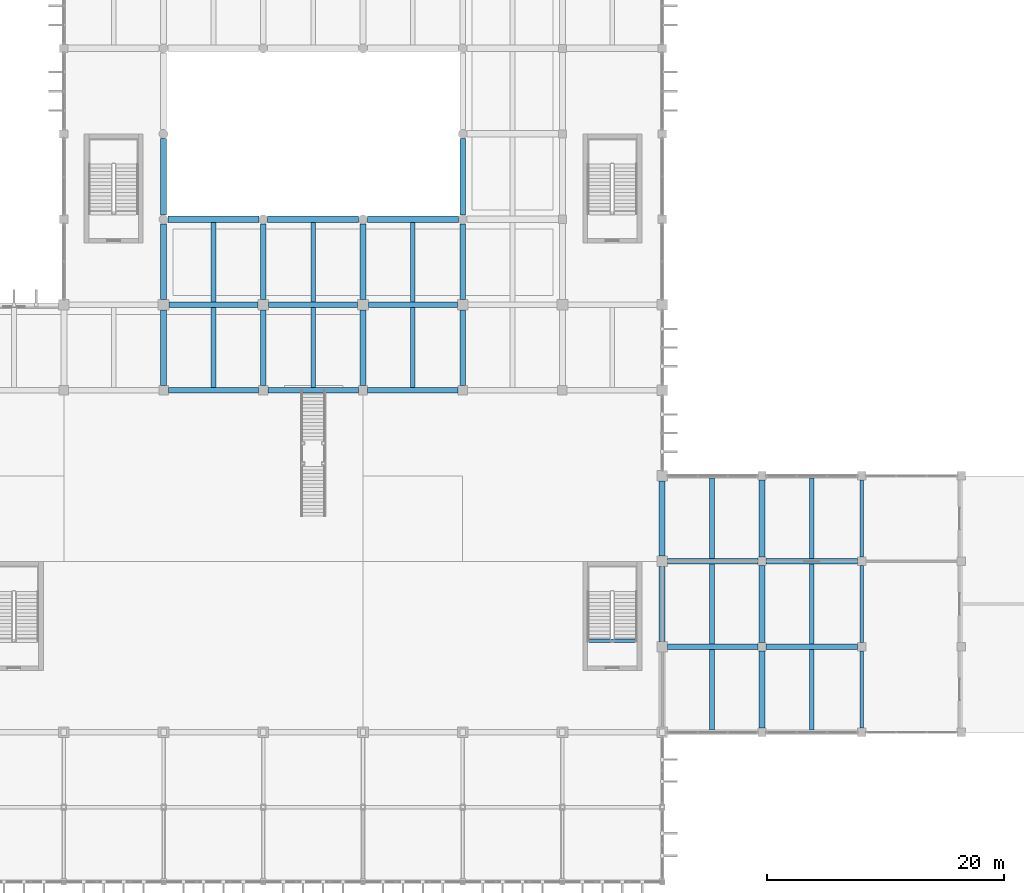
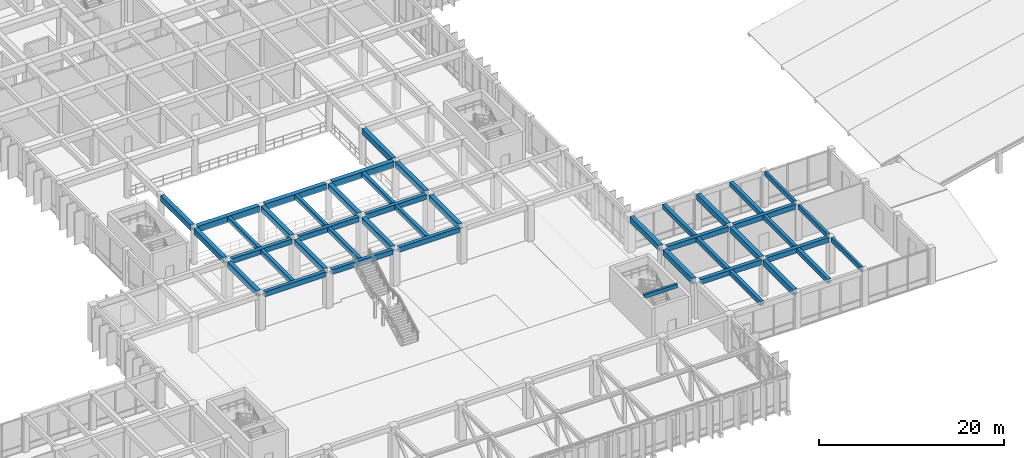
# One storey, part 14 of 51: 44 beams.
"""IFC4 building model written with IfcOpenShell, lengths in metres."""

import ifcopenshell
import ifcopenshell.guid

model = None  # the IFC model being written
_history = None  # IfcOwnerHistory: only IFC2X3 demands one
_inside = {}  # id of a spatial element -> (the spatial element, [elements in it])
_under = {}  # id of a project, library or spatial element -> (it, [spatial elements below it])
_declared = {}  # id of a project -> (the project, [libraries it declares])
_typed = {}  # id of a type object -> (the type object, [elements of that type])
_made_of = {}  # id of a material, layer set ... -> (it, [elements and type objects made of it])


def new_model(schema):
    """Start an empty IFC model of exactly this schema.

    Asked for "IFC4X3", IfcOpenShell would pick the latest addendum, in which some entities
    have other attributes; the version numbers below select the first issue.
    IFC2X3 requires an IfcOwnerHistory on every rooted entity: one is made here for all.
    """
    global model, _history
    if schema == "IFC4X3":
        model = ifcopenshell.file(schema_version=(4, 3, 0, 0))
    else:
        model = ifcopenshell.file(schema=schema)
    _inside.clear()
    _under.clear()
    _declared.clear()
    _typed.clear()
    _made_of.clear()
    _history = None
    if model.schema == "IFC2X3":
        org = make("IfcOrganization", Name="unknown")
        user = make(
            "IfcPersonAndOrganization",
            ThePerson=make("IfcPerson", FamilyName="unknown"),
            TheOrganization=org,
        )
        app = make(
            "IfcApplication",
            ApplicationDeveloper=org,
            Version="unknown",
            ApplicationFullName="unknown",
            ApplicationIdentifier="unknown",
        )
        _history = make(
            "IfcOwnerHistory",
            OwningUser=user,
            OwningApplication=app,
            ChangeAction="ADDED",
            CreationDate=0,
        )
    return model


def make(cls, **values):
    """One entity of the class cls with the attributes given. An attribute that is None is left unset."""
    return model.create_entity(
        cls, **{name: value for name, value in values.items() if value is not None}
    )


def rooted(cls, **values):
    """An entity with a GlobalId (a new one), such as an element, a storey or a relation."""
    return make(cls, GlobalId=ifcopenshell.guid.new(), OwnerHistory=_history, **values)


def si_unit(unit_type, name, prefix=None):
    """IfcSIUnit, for example si_unit("LENGTHUNIT", "METRE", prefix="MILLI")."""
    return make("IfcSIUnit", UnitType=unit_type, Prefix=prefix, Name=name)


def assignment(units):
    """IfcUnitAssignment: the units of a project."""
    return None if units is None else make("IfcUnitAssignment", Units=units)


def point(xyz):
    """IfcCartesianPoint."""
    return None if xyz is None else make("IfcCartesianPoint", Coordinates=xyz)


def direction(xyz):
    """IfcDirection."""
    return None if xyz is None else make("IfcDirection", DirectionRatios=xyz)


def frame(location, z_axis=None, x_axis=None):
    """IfcAxis2Placement3D, a coordinate frame: its origin and axes. An axis left out is left unset."""
    return make(
        "IfcAxis2Placement3D",
        Location=point(location),
        Axis=direction(z_axis),
        RefDirection=direction(x_axis),
    )


def frame_2d(location, x_axis=None):
    """IfcAxis2Placement2D, a coordinate frame in the plane: its origin and x axis."""
    return make(
        "IfcAxis2Placement2D", Location=point(location), RefDirection=direction(x_axis)
    )


def origin():
    """The frame at (0, 0, 0) with its axes left unset."""
    return frame((0.0, 0.0, 0.0))


def origin_2d():
    """The frame at (0, 0) in the plane with its x axis left unset."""
    return frame_2d((0.0, 0.0))


def place(relative_to, where):
    """IfcLocalPlacement: puts the frame where relative to a parent placement (None: the world)."""
    return make(
        "IfcLocalPlacement", PlacementRelTo=relative_to, RelativePlacement=where
    )


def context(
    kind, dimensions, precision=None, world=None, true_north=None, identifier=None
):
    """IfcGeometricRepresentationContext, for example the 3D "Model" context."""
    return make(
        "IfcGeometricRepresentationContext",
        ContextIdentifier=identifier,
        ContextType=kind,
        CoordinateSpaceDimension=dimensions,
        Precision=precision,
        WorldCoordinateSystem=world,
        TrueNorth=true_north,
    )


def subcontext(parent, identifier, kind, view, scale=None):
    """IfcGeometricRepresentationSubContext, for example "Body" below "Model"."""
    return make(
        "IfcGeometricRepresentationSubContext",
        ContextIdentifier=identifier,
        ContextType=kind,
        ParentContext=parent,
        TargetScale=scale,
        TargetView=view,
    )


def project(units=None, contexts=None):
    """IfcProject with its units and contexts."""
    return rooted(
        "IfcProject",
        Name="project",
        RepresentationContexts=contexts,
        UnitsInContext=assignment(units),
    )


def spatial(cls, under=None, at=None, **own):
    """A site, building, storey or space (cls), placed at a placement, below another one or the project."""
    s = rooted(cls, ObjectPlacement=at, **own)
    if under is not None:
        _under.setdefault(under.id(), (under, []))[1].append(s)
    return s


def profile(cls, at=None, kind="AREA", **sizes):
    """A parametric profile (cls). Its sizes go by their IFC names, for example OverallWidth=200.0."""
    return make(cls, ProfileType=kind, Position=at, **sizes)


def rectangle(**sizes):
    """IfcRectangleProfileDef."""
    return profile("IfcRectangleProfileDef", **sizes)


def extrude(swept, where, along, depth):
    """IfcExtrudedAreaSolid: the profile swept, set in the frame where, extruded along a direction by depth."""
    return make(
        "IfcExtrudedAreaSolid",
        SweptArea=swept,
        Position=where,
        ExtrudedDirection=direction(along),
        Depth=depth,
    )


def shape(context_of_items, identifier, shape_type, items):
    """IfcShapeRepresentation: the items that make up one representation, for example the "Body"."""
    return make(
        "IfcShapeRepresentation",
        ContextOfItems=context_of_items,
        RepresentationIdentifier=identifier,
        RepresentationType=shape_type,
        Items=items,
    )


def material(Name=None, Category=None):
    """IfcMaterial."""
    return make("IfcMaterial", Name=Name, Category=Category)


def material_profile(
    of_material, cross_section, Name=None, Category=None, Priority=None
):
    """IfcMaterialProfile: a cross section and its material."""
    return make(
        "IfcMaterialProfile",
        Name=Name,
        Material=of_material,
        Profile=cross_section,
        Priority=Priority,
        Category=Category,
    )


def profile_set(profiles, Name=None, composite=None):
    """IfcMaterialProfileSet."""
    return make(
        "IfcMaterialProfileSet",
        Name=Name,
        MaterialProfiles=profiles,
        CompositeProfile=composite,
    )


def made_of(thing, what):
    """Note that an element or type object is made of a material, layer set ...; save() writes the relation."""
    if what is not None:
        _made_of.setdefault(what.id(), (what, []))[1].append(thing)
    return thing


def type_object(cls, material=None, **own):
    """A type object (cls), such as IfcWallType, which elements share."""
    return made_of(rooted(cls, **own), material)


def element(
    cls,
    number,
    at=None,
    inside=None,
    cuts=None,
    type_object=None,
    material=None,
    context=None,
    identifier="Body",
    shape_type=None,
    held_by="IfcProductDefinitionShape",
    body=None,
    shapes=None,
    **own,
):
    """One element of the class cls, such as IfcWall. Its Tag is "e" and its number.

    at: its placement. inside: the storey or other place that contains it. cuts: it is an
    opening in that element (IfcRelVoidsElement). A single representation is given by context,
    identifier, shape_type and body (its items); several are given by shapes. held_by: the class
    of the entity that holds the representations. save() writes the other relations.
    """
    e = rooted(cls, Tag="e%d" % number, ObjectPlacement=at, **own)
    if body is not None:
        shapes = [shape(context, identifier, shape_type, body)]
    if shapes is not None:
        e.Representation = make(held_by, Representations=shapes)
    if inside is not None:
        _inside.setdefault(inside.id(), (inside, []))[1].append(e)
    if cuts is not None:
        rooted(
            "IfcRelVoidsElement", RelatingBuildingElement=cuts, RelatedOpeningElement=e
        )
    if type_object is not None:
        _typed.setdefault(type_object.id(), (type_object, []))[1].append(e)
    return made_of(e, material)


def aggregate(whole, parts):
    """IfcRelAggregates: a whole, such as a stair, and the parts it consists of."""
    return rooted("IfcRelAggregates", RelatingObject=whole, RelatedObjects=parts)


def save(model, path):
    """Write the relations noted so far, then the file.

    IfcRelAggregates (storeys below a building ...), IfcRelContainedInSpatialStructure (elements
    in a storey), IfcRelDefinesByType, IfcRelAssociatesMaterial and IfcRelDeclares: one each for
    every whole, place, type object, material and project.
    """
    for whole, parts in _under.values():
        aggregate(whole, parts)
    for where, things in _inside.values():
        rooted(
            "IfcRelContainedInSpatialStructure",
            RelatedElements=things,
            RelatingStructure=where,
        )
    for kind, things in _typed.values():
        rooted("IfcRelDefinesByType", RelatedObjects=things, RelatingType=kind)
    for what, things in _made_of.values():
        rooted("IfcRelAssociatesMaterial", RelatedObjects=things, RelatingMaterial=what)
    for by, libraries in _declared.values():
        rooted("IfcRelDeclares", RelatingContext=by, RelatedDefinitions=libraries)
    model.write(path)


model = new_model("IFC4")

# Units and contexts
model_context = context("Model", 3, precision=1e-05, world=origin(), true_north=direction((0.0, 1.0)))
body_context = subcontext(model_context, "Body", "Model", "MODEL_VIEW")
ifc_project = project(units=[si_unit("LENGTHUNIT", "METRE"), si_unit("AREAUNIT", "SQUARE_METRE"), si_unit("VOLUMEUNIT", "CUBIC_METRE"), si_unit("PLANEANGLEUNIT", "RADIAN"), si_unit("MASSUNIT", "GRAM", prefix="KILO")], contexts=[model_context])

# Site, building, storey
site_placement = place(None, origin())
site = spatial("IfcSite", under=ifc_project, at=site_placement, CompositionType="ELEMENT")
building_placement = place(site_placement, origin())
building = spatial("IfcBuilding", under=site, at=building_placement, Name="Kenerak Square Central Library", CompositionType="ELEMENT")
storey_placement = place(building_placement, frame((0.0, 0.0, 9.60009765625)))
storey = spatial("IfcBuildingStorey", under=building, at=storey_placement, Name="L02", CompositionType="ELEMENT", Elevation=9.60009765625)

# Beams
ifc_material = material(Name="Concrete C40/50", Category="concrete")
ifc_material_profile_1 = material_profile(ifc_material, rectangle(XDim=0.300048828125, YDim=0.60009765625, at=origin_2d()), Name="RC 300x600")
ifc_profile_set_1 = profile_set([ifc_material_profile_1], Name="Concrete C40/50")
beam_type_1 = type_object("IfcBeamType", Name="Courtyard Spandrel Beam SP-02 RC 300x600 C40/50", PredefinedType="SPANDREL", material=ifc_profile_set_1)
for number, where, z_axis, x_axis, name in (
    (1, (134.0, 17.14990234375, 4.5), (0.0, 1.0, 0.0), (-1.0, 0.0, 0.0), "Beam SP-02 L02 1362"),
    (2, (134.0, 24.35009765625, 4.5), (0.0, 1.0, 0.0), (-1.0, 0.0, 0.0), "Beam SP-02 L02 1363"),
    (3, (134.0, 31.550048828125, 4.5), (0.0, 1.0, 0.0), (-1.0, 0.0, 0.0), "Beam SP-02 L02 1364"),
):
    element("IfcBeam", number, at=place(storey_placement, frame(where, z_axis=z_axis, x_axis=x_axis)), inside=storey, type_object=beam_type_1, Name=name, PredefinedType="SPANDREL", context=body_context, shape_type="SweptSolid", body=[
        extrude(rectangle(XDim=0.300048828125, YDim=0.60009765625, at=origin_2d()), origin(), (0.0, 0.0, 1.0), 6.5),
    ])
ifc_material_profile_2 = material_profile(ifc_material, rectangle(XDim=0.300048828125, YDim=0.5, at=origin_2d()), Name="RC 300x500")
ifc_profile_set_2 = profile_set([ifc_material_profile_2], Name="Concrete C40/50")
beam_type_2 = type_object("IfcBeamType", Name="Landing Support Beam B-08 RC 300x500 C40/50", PredefinedType="BEAM", material=ifc_profile_set_2)
beam_1_placement = place(storey_placement, frame((110.919921875, 24.510009765625, 4.5498046875), z_axis=(1.0, 0.0, 0.0), x_axis=(0.0, 1.0, 0.0)))
element("IfcBeam", 4, at=beam_1_placement, inside=storey, type_object=beam_type_2, Name="Stair Threshold Beam B-08 ST-05 L03", PredefinedType="BEAM", context=body_context, shape_type="SweptSolid", body=[
    extrude(rectangle(XDim=0.300048828125, YDim=0.5, at=origin_2d()), origin(), (0.0, 0.0, 1.0), 4.16015625),
])
ifc_material_profile_3 = material_profile(ifc_material, rectangle(XDim=0.449951171875, YDim=0.64990234375, at=origin_2d()), Name="RC 450x650")
ifc_profile_set_3 = profile_set([ifc_material_profile_3], Name="Concrete C40/50")
beam_type_3 = type_object("IfcBeamType", Name="Mezzanine Frame Beam B-06 RC 450x650 C40/50", PredefinedType="BEAM", material=ifc_profile_set_3)
beam_2_placement = place(storey_placement, frame((117.64990234375, 24.0, 4.474853515625), z_axis=(1.0, 0.0, 0.0), x_axis=(0.0, 1.0, 0.0)))
element("IfcBeam", 5, at=beam_2_placement, inside=storey, type_object=beam_type_3, Name="Beam B-06 L02 1201", PredefinedType="BEAM", context=body_context, shape_type="SweptSolid", body=[
    extrude(rectangle(XDim=0.449951171875, YDim=0.64990234375, at=origin_2d()), origin(), (0.0, 0.0, 1.0), 7.60009765625),
])
beam_3_placement = place(storey_placement, frame((125.949951171875, 24.0, 4.474853515625), z_axis=(1.0, 0.0, 0.0), x_axis=(0.0, 1.0, 0.0)))
element("IfcBeam", 6, at=beam_3_placement, inside=storey, type_object=beam_type_3, Name="Beam B-06 L02 1202", PredefinedType="BEAM", context=body_context, shape_type="SweptSolid", body=[
    extrude(rectangle(XDim=0.449951171875, YDim=0.64990234375, at=origin_2d()), origin(), (0.0, 0.0, 1.0), 7.699951171875),
])
beam_4_placement = place(storey_placement, frame((117.64990234375, 31.199951171875, 4.474853515625), z_axis=(1.0, 0.0, 0.0), x_axis=(0.0, 1.0, 0.0)))
element("IfcBeam", 7, at=beam_4_placement, inside=storey, type_object=beam_type_3, Name="Beam B-06 L02 1205", PredefinedType="BEAM", context=body_context, shape_type="SweptSolid", body=[
    extrude(rectangle(XDim=0.449951171875, YDim=0.64990234375, at=origin_2d()), origin(), (0.0, 0.0, 1.0), 7.60009765625),
])
beam_5_placement = place(storey_placement, frame((125.949951171875, 31.199951171875, 4.474853515625), z_axis=(1.0, 0.0, 0.0), x_axis=(0.0, 1.0, 0.0)))
element("IfcBeam", 8, at=beam_5_placement, inside=storey, type_object=beam_type_3, Name="Beam B-06 L02 1206", PredefinedType="BEAM", context=body_context, shape_type="SweptSolid", body=[
    extrude(rectangle(XDim=0.449951171875, YDim=0.64990234375, at=origin_2d()), origin(), (0.0, 0.0, 1.0), 7.699951171875),
])
beam_6_placement = place(storey_placement, frame((75.60009765625, 45.60009765625, 4.474853515625), z_axis=(1.0, 0.0, 0.0), x_axis=(0.0, 1.0, 0.0)))
element("IfcBeam", 9, at=beam_6_placement, inside=storey, type_object=beam_type_3, Name="Beam B-06 L02 1213", PredefinedType="BEAM", context=body_context, shape_type="SweptSolid", body=[
    extrude(rectangle(XDim=0.449951171875, YDim=0.64990234375, at=origin_2d()), origin(), (0.0, 0.0, 1.0), 7.599853515625),
])
for number, where, z_axis, x_axis, name in (
    (10, (84.0, 45.60009765625, 4.474853515625), (1.0, 0.0, 0.0), (0.0, 1.0, 0.0), "Beam B-06 L02 1214"),
    (11, (92.39990234375, 45.60009765625, 4.474853515625), (1.0, 0.0, 0.0), (0.0, 1.0, 0.0), "Beam B-06 L02 1215"),
):
    element("IfcBeam", number, at=place(storey_placement, frame(where, z_axis=z_axis, x_axis=x_axis)), inside=storey, type_object=beam_type_3, Name=name, PredefinedType="BEAM", context=body_context, shape_type="SweptSolid", body=[
        extrude(rectangle(XDim=0.449951171875, YDim=0.64990234375, at=origin_2d()), origin(), (0.0, 0.0, 1.0), 7.60009765625),
    ])
for number, where, z_axis, x_axis, name in (
    (12, (75.64990234375, 52.800048828125, 4.474853515625), (1.0, 0.0, 0.0), (0.0, 1.0, 0.0), "Beam B-06 L02 1220"),
    (13, (84.050048828125, 52.800048828125, 4.474853515625), (1.0, 0.0, 0.0), (0.0, 1.0, 0.0), "Beam B-06 L02 1221"),
    (14, (92.449951171875, 52.800048828125, 4.474853515625), (1.0, 0.0, 0.0), (0.0, 1.0, 0.0), "Beam B-06 L02 1222"),
):
    element("IfcBeam", number, at=place(storey_placement, frame(where, z_axis=z_axis, x_axis=x_axis)), inside=storey, type_object=beam_type_3, Name=name, PredefinedType="BEAM", context=body_context, shape_type="SweptSolid", body=[
        extrude(rectangle(XDim=0.449951171875, YDim=0.64990234375, at=origin_2d()), origin(), (0.0, 0.0, 1.0), 7.5),
    ])
ifc_material_profile_4 = material_profile(ifc_material, rectangle(XDim=0.550048828125, YDim=0.800048828125, at=origin_2d()), Name="RC 550x800")
ifc_profile_set_4 = profile_set([ifc_material_profile_4], Name="Concrete C40/50")
beam_type_4 = type_object("IfcBeamType", Name="Primary Reading Beam B-04 RC 550x800 C40/50", PredefinedType="BEAM", material=ifc_profile_set_4)
beam_7_placement = place(storey_placement, frame((75.574951171875, 60.0, 4.39990234375), z_axis=(1.0, 0.0, 0.0), x_axis=(0.0, 1.0, 0.0)))
element("IfcBeam", 15, at=beam_7_placement, inside=storey, type_object=beam_type_4, Name="Beam B-04 L02 1225", PredefinedType="BEAM", context=body_context, shape_type="SweptSolid", body=[
    extrude(rectangle(XDim=0.550048828125, YDim=0.800048828125, at=origin_2d()), origin(), (0.0, 0.0, 1.0), 7.650146484375),
])
for number, where, z_axis, x_axis, name in (
    (16, (83.97509765625, 60.0, 4.39990234375), (1.0, 0.0, 0.0), (0.0, 1.0, 0.0), "Beam B-04 L02 1226"),
    (17, (92.375, 60.0, 4.39990234375), (1.0, 0.0, 0.0), (0.0, 1.0, 0.0), "Beam B-04 L02 1227"),
):
    element("IfcBeam", number, at=place(storey_placement, frame(where, z_axis=z_axis, x_axis=x_axis)), inside=storey, type_object=beam_type_4, Name=name, PredefinedType="BEAM", context=body_context, shape_type="SweptSolid", body=[
        extrude(rectangle(XDim=0.550048828125, YDim=0.800048828125, at=origin_2d()), origin(), (0.0, 0.0, 1.0), 7.64990234375),
    ])
ifc_material_profile_5 = material_profile(ifc_material, rectangle(XDim=0.39990234375, YDim=0.60009765625, at=origin_2d()), Name="RC 400x600")
ifc_profile_set_5 = profile_set([ifc_material_profile_5], Name="Concrete C40/50")
beam_type_5 = type_object("IfcBeamType", Name="Secondary Floor Joist J-01 RC 400x600 C40/50", PredefinedType="JOIST", material=ifc_profile_set_5)
beam_8_placement = place(storey_placement, frame((79.39990234375, 45.824951171875, 4.5), z_axis=(0.0, 1.0, 0.0), x_axis=(-1.0, 0.0, 0.0)))
element("IfcBeam", 18, at=beam_8_placement, inside=storey, type_object=beam_type_5, Name="Joist J-01 L02 1379", PredefinedType="JOIST", context=body_context, shape_type="SweptSolid", body=[
    extrude(rectangle(XDim=0.39990234375, YDim=0.60009765625, at=origin_2d()), origin(), (0.0, 0.0, 1.0), 6.75),
])
beam_9_placement = place(storey_placement, frame((79.39990234375, 53.02490234375, 4.5), z_axis=(0.0, 1.0, 0.0), x_axis=(-1.0, 0.0, 0.0)))
element("IfcBeam", 19, at=beam_9_placement, inside=storey, type_object=beam_type_5, Name="Joist J-01 L02 1380", PredefinedType="JOIST", context=body_context, shape_type="SweptSolid", body=[
    extrude(rectangle(XDim=0.39990234375, YDim=0.60009765625, at=origin_2d()), origin(), (0.0, 0.0, 1.0), 6.7001953125),
])
beam_10_placement = place(storey_placement, frame((87.800048828125, 45.824951171875, 4.5), z_axis=(0.0, 1.0, 0.0), x_axis=(-1.0, 0.0, 0.0)))
element("IfcBeam", 20, at=beam_10_placement, inside=storey, type_object=beam_type_5, Name="Joist J-01 L02 1386", PredefinedType="JOIST", context=body_context, shape_type="SweptSolid", body=[
    extrude(rectangle(XDim=0.39990234375, YDim=0.60009765625, at=origin_2d()), origin(), (0.0, 0.0, 1.0), 6.75),
])
beam_11_placement = place(storey_placement, frame((87.800048828125, 53.02490234375, 4.5), z_axis=(0.0, 1.0, 0.0), x_axis=(-1.0, 0.0, 0.0)))
element("IfcBeam", 21, at=beam_11_placement, inside=storey, type_object=beam_type_5, Name="Joist J-01 L02 1387", PredefinedType="JOIST", context=body_context, shape_type="SweptSolid", body=[
    extrude(rectangle(XDim=0.39990234375, YDim=0.60009765625, at=origin_2d()), origin(), (0.0, 0.0, 1.0), 6.7001953125),
])
beam_12_placement = place(storey_placement, frame((96.199951171875, 45.824951171875, 4.5), z_axis=(0.0, 1.0, 0.0), x_axis=(-1.0, 0.0, 0.0)))
element("IfcBeam", 22, at=beam_12_placement, inside=storey, type_object=beam_type_5, Name="Joist J-01 L02 1391", PredefinedType="JOIST", context=body_context, shape_type="SweptSolid", body=[
    extrude(rectangle(XDim=0.39990234375, YDim=0.60009765625, at=origin_2d()), origin(), (0.0, 0.0, 1.0), 6.75),
])
beam_13_placement = place(storey_placement, frame((96.199951171875, 53.02490234375, 4.5), z_axis=(0.0, 1.0, 0.0), x_axis=(-1.0, 0.0, 0.0)))
element("IfcBeam", 23, at=beam_13_placement, inside=storey, type_object=beam_type_5, Name="Joist J-01 L02 1392", PredefinedType="JOIST", context=body_context, shape_type="SweptSolid", body=[
    extrude(rectangle(XDim=0.39990234375, YDim=0.60009765625, at=origin_2d()), origin(), (0.0, 0.0, 1.0), 6.7001953125),
])
beam_14_placement = place(storey_placement, frame((121.39990234375, 16.97509765625, 4.5), z_axis=(0.0, 1.0, 0.0), x_axis=(-1.0, 0.0, 0.0)))
element("IfcBeam", 24, at=beam_14_placement, inside=storey, type_object=beam_type_5, Name="Joist J-01 L02 1413", PredefinedType="JOIST", context=body_context, shape_type="SweptSolid", body=[
    extrude(rectangle(XDim=0.39990234375, YDim=0.60009765625, at=origin_2d()), origin(), (0.0, 0.0, 1.0), 6.7998046875),
])
beam_15_placement = place(storey_placement, frame((121.39990234375, 24.22509765625, 4.5), z_axis=(0.0, 1.0, 0.0), x_axis=(-1.0, 0.0, 0.0)))
element("IfcBeam", 25, at=beam_15_placement, inside=storey, type_object=beam_type_5, Name="Joist J-01 L02 1414", PredefinedType="JOIST", context=body_context, shape_type="SweptSolid", body=[
    extrude(rectangle(XDim=0.39990234375, YDim=0.60009765625, at=origin_2d()), origin(), (0.0, 0.0, 1.0), 6.75),
])
beam_16_placement = place(storey_placement, frame((121.39990234375, 31.425048828125, 4.5), z_axis=(0.0, 1.0, 0.0), x_axis=(-1.0, 0.0, 0.0)))
element("IfcBeam", 26, at=beam_16_placement, inside=storey, type_object=beam_type_5, Name="Joist J-01 L02 1415", PredefinedType="JOIST", context=body_context, shape_type="SweptSolid", body=[
    extrude(rectangle(XDim=0.39990234375, YDim=0.60009765625, at=origin_2d()), origin(), (0.0, 0.0, 1.0), 6.800048828125),
])
beam_17_placement = place(storey_placement, frame((129.800048828125, 16.97509765625, 4.5), z_axis=(0.0, 1.0, 0.0), x_axis=(-1.0, 0.0, 0.0)))
element("IfcBeam", 27, at=beam_17_placement, inside=storey, type_object=beam_type_5, Name="Joist J-01 L02 1419", PredefinedType="JOIST", context=body_context, shape_type="SweptSolid", body=[
    extrude(rectangle(XDim=0.39990234375, YDim=0.60009765625, at=origin_2d()), origin(), (0.0, 0.0, 1.0), 6.7998046875),
])
beam_18_placement = place(storey_placement, frame((129.800048828125, 24.22509765625, 4.5), z_axis=(0.0, 1.0, 0.0), x_axis=(-1.0, 0.0, 0.0)))
element("IfcBeam", 28, at=beam_18_placement, inside=storey, type_object=beam_type_5, Name="Joist J-01 L02 1420", PredefinedType="JOIST", context=body_context, shape_type="SweptSolid", body=[
    extrude(rectangle(XDim=0.39990234375, YDim=0.60009765625, at=origin_2d()), origin(), (0.0, 0.0, 1.0), 6.75),
])
beam_19_placement = place(storey_placement, frame((129.800048828125, 31.425048828125, 4.5), z_axis=(0.0, 1.0, 0.0), x_axis=(-1.0, 0.0, 0.0)))
element("IfcBeam", 29, at=beam_19_placement, inside=storey, type_object=beam_type_5, Name="Joist J-01 L02 1421", PredefinedType="JOIST", context=body_context, shape_type="SweptSolid", body=[
    extrude(rectangle(XDim=0.39990234375, YDim=0.60009765625, at=origin_2d()), origin(), (0.0, 0.0, 1.0), 6.800048828125),
])
ifc_material_profile_6 = material_profile(ifc_material, rectangle(XDim=0.5, YDim=0.75, at=origin_2d()), Name="RC 500x750")
ifc_profile_set_6 = profile_set([ifc_material_profile_6], Name="Concrete C40/50")
beam_type_6 = type_object("IfcBeamType", Name="Transverse Frame Beam B-05 RC 500x750 C40/50", PredefinedType="BEAM", material=ifc_profile_set_6)
beam_20_placement = place(storey_placement, frame((75.199951171875, 46.0, 4.4248046875), z_axis=(0.0, 1.0, 0.0), x_axis=(-1.0, 0.0, 0.0)))
element("IfcBeam", 30, at=beam_20_placement, inside=storey, type_object=beam_type_6, Name="Beam B-05 L02 1297", PredefinedType="BEAM", context=body_context, shape_type="SweptSolid", body=[
    extrude(rectangle(XDim=0.5, YDim=0.75, at=origin_2d()), origin(), (0.0, 0.0, 1.0), 6.35009765625),
])
beam_21_placement = place(storey_placement, frame((75.199951171875, 53.25, 4.4248046875), z_axis=(0.0, 1.0, 0.0), x_axis=(-1.0, 0.0, 0.0)))
element("IfcBeam", 31, at=beam_21_placement, inside=storey, type_object=beam_type_6, Name="Beam B-05 L02 1298", PredefinedType="BEAM", context=body_context, shape_type="SweptSolid", body=[
    extrude(rectangle(XDim=0.5, YDim=0.75, at=origin_2d()), origin(), (0.0, 0.0, 1.0), 6.375),
])
beam_22_placement = place(storey_placement, frame((75.199951171875, 60.375, 4.4248046875), z_axis=(0.0, 1.0, 0.0), x_axis=(-1.0, 0.0, 0.0)))
element("IfcBeam", 32, at=beam_22_placement, inside=storey, type_object=beam_type_6, Name="Beam B-05 L02 1299", PredefinedType="BEAM", context=body_context, shape_type="SweptSolid", body=[
    extrude(rectangle(XDim=0.5, YDim=0.75, at=origin_2d()), origin(), (0.0, 0.0, 1.0), 6.449951171875),
])
beam_23_placement = place(storey_placement, frame((83.60009765625, 46.0, 4.4248046875), z_axis=(0.0, 1.0, 0.0), x_axis=(-1.0, 0.0, 0.0)))
element("IfcBeam", 33, at=beam_23_placement, inside=storey, type_object=beam_type_6, Name="Beam B-05 L02 1307", PredefinedType="BEAM", context=body_context, shape_type="SweptSolid", body=[
    extrude(rectangle(XDim=0.5, YDim=0.75, at=origin_2d()), origin(), (0.0, 0.0, 1.0), 6.35009765625),
])
beam_24_placement = place(storey_placement, frame((83.60009765625, 53.25, 4.4248046875), z_axis=(0.0, 1.0, 0.0), x_axis=(-1.0, 0.0, 0.0)))
element("IfcBeam", 34, at=beam_24_placement, inside=storey, type_object=beam_type_6, Name="Beam B-05 L02 1308", PredefinedType="BEAM", context=body_context, shape_type="SweptSolid", body=[
    extrude(rectangle(XDim=0.5, YDim=0.75, at=origin_2d()), origin(), (0.0, 0.0, 1.0), 6.375),
])
beam_25_placement = place(storey_placement, frame((92.0, 46.0, 4.4248046875), z_axis=(0.0, 1.0, 0.0), x_axis=(-1.0, 0.0, 0.0)))
element("IfcBeam", 35, at=beam_25_placement, inside=storey, type_object=beam_type_6, Name="Beam B-05 L02 1315", PredefinedType="BEAM", context=body_context, shape_type="SweptSolid", body=[
    extrude(rectangle(XDim=0.5, YDim=0.75, at=origin_2d()), origin(), (0.0, 0.0, 1.0), 6.35009765625),
])
beam_26_placement = place(storey_placement, frame((92.0, 53.25, 4.4248046875), z_axis=(0.0, 1.0, 0.0), x_axis=(-1.0, 0.0, 0.0)))
element("IfcBeam", 36, at=beam_26_placement, inside=storey, type_object=beam_type_6, Name="Beam B-05 L02 1316", PredefinedType="BEAM", context=body_context, shape_type="SweptSolid", body=[
    extrude(rectangle(XDim=0.5, YDim=0.75, at=origin_2d()), origin(), (0.0, 0.0, 1.0), 6.375),
])
beam_27_placement = place(storey_placement, frame((100.39990234375, 46.0, 4.4248046875), z_axis=(0.0, 1.0, 0.0), x_axis=(-1.0, 0.0, 0.0)))
element("IfcBeam", 37, at=beam_27_placement, inside=storey, type_object=beam_type_6, Name="Beam B-05 L02 1323", PredefinedType="BEAM", context=body_context, shape_type="SweptSolid", body=[
    extrude(rectangle(XDim=0.5, YDim=0.75, at=origin_2d()), origin(), (0.0, 0.0, 1.0), 6.35009765625),
])
beam_28_placement = place(storey_placement, frame((100.39990234375, 53.25, 4.4248046875), z_axis=(0.0, 1.0, 0.0), x_axis=(-1.0, 0.0, 0.0)))
element("IfcBeam", 38, at=beam_28_placement, inside=storey, type_object=beam_type_6, Name="Beam B-05 L02 1324", PredefinedType="BEAM", context=body_context, shape_type="SweptSolid", body=[
    extrude(rectangle(XDim=0.5, YDim=0.75, at=origin_2d()), origin(), (0.0, 0.0, 1.0), 6.375),
])
beam_29_placement = place(storey_placement, frame((100.39990234375, 60.375, 4.4248046875), z_axis=(0.0, 1.0, 0.0), x_axis=(-1.0, 0.0, 0.0)))
element("IfcBeam", 39, at=beam_29_placement, inside=storey, type_object=beam_type_6, Name="Beam B-05 L02 1325", PredefinedType="BEAM", context=body_context, shape_type="SweptSolid", body=[
    extrude(rectangle(XDim=0.5, YDim=0.75, at=origin_2d()), origin(), (0.0, 0.0, 1.0), 6.449951171875),
])
for number, where, z_axis, x_axis, name in (
    (40, (117.199951171875, 24.449951171875, 4.4248046875), (0.0, 1.0, 0.0), (-1.0, 0.0, 0.0), "Beam B-05 L02 1344"),
    (41, (117.199951171875, 31.64990234375, 4.4248046875), (0.0, 1.0, 0.0), (-1.0, 0.0, 0.0), "Beam B-05 L02 1345"),
):
    element("IfcBeam", number, at=place(storey_placement, frame(where, z_axis=z_axis, x_axis=x_axis)), inside=storey, type_object=beam_type_6, Name=name, PredefinedType="BEAM", context=body_context, shape_type="SweptSolid", body=[
        extrude(rectangle(XDim=0.5, YDim=0.75, at=origin_2d()), origin(), (0.0, 0.0, 1.0), 6.300048828125),
    ])
for number, where, z_axis, x_axis, name in (
    (42, (125.60009765625, 17.14990234375, 4.4248046875), (0.0, 1.0, 0.0), (-1.0, 0.0, 0.0), "Beam B-05 L02 1356"),
    (43, (125.60009765625, 24.35009765625, 4.4248046875), (0.0, 1.0, 0.0), (-1.0, 0.0, 0.0), "Beam B-05 L02 1357"),
    (44, (125.60009765625, 31.550048828125, 4.4248046875), (0.0, 1.0, 0.0), (-1.0, 0.0, 0.0), "Beam B-05 L02 1358"),
):
    element("IfcBeam", number, at=place(storey_placement, frame(where, z_axis=z_axis, x_axis=x_axis)), inside=storey, type_object=beam_type_6, Name=name, PredefinedType="BEAM", context=body_context, shape_type="SweptSolid", body=[
        extrude(rectangle(XDim=0.5, YDim=0.75, at=origin_2d()), origin(), (0.0, 0.0, 1.0), 6.5),
    ])

save(model, "model.ifc")
